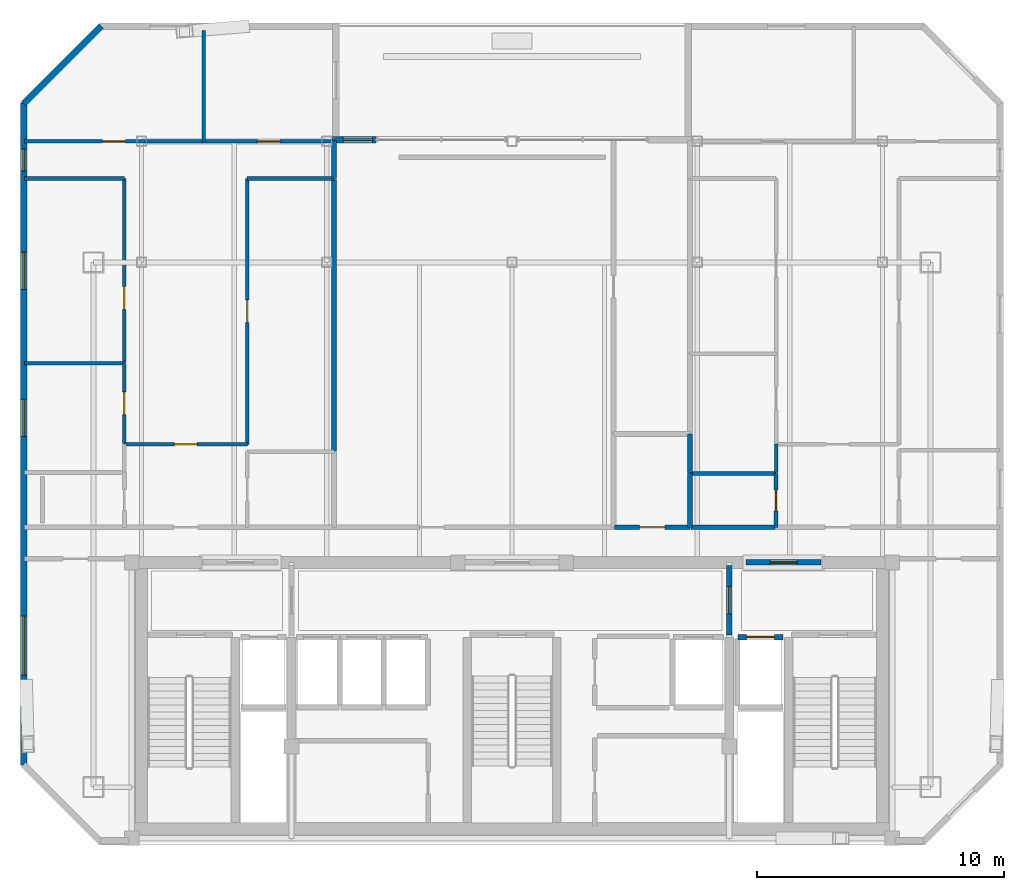
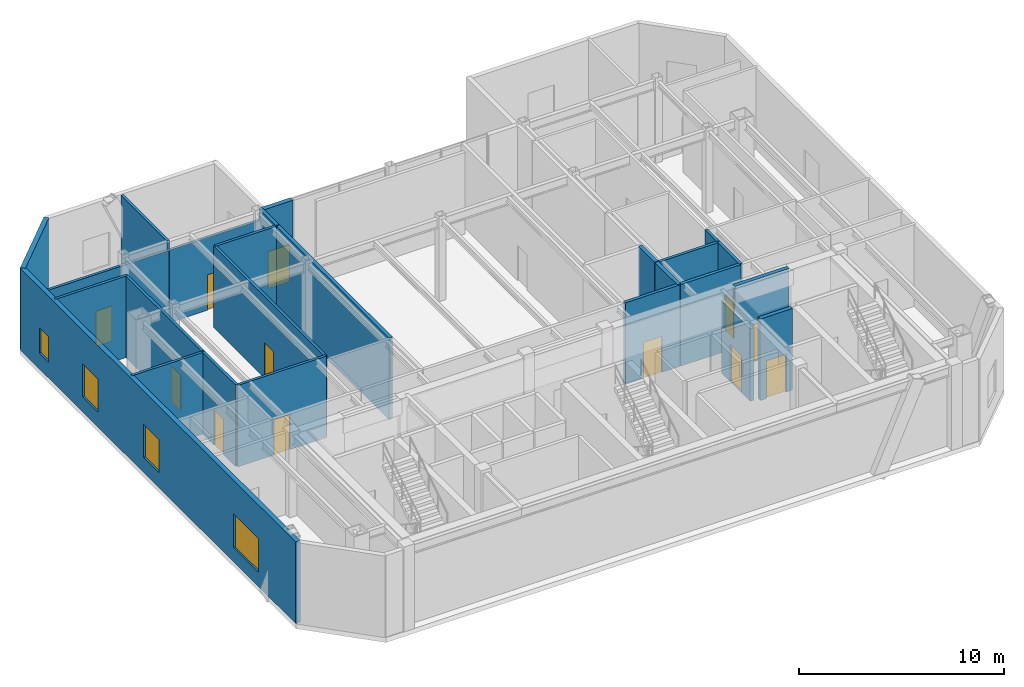
# One storey, part 8 of 11: 25 walls, 12 doors, 4 windows, 16 openings.
"""IFC4 building model written with IfcOpenShell, lengths in metres."""

from ifc_helpers import new_model, si_unit, direction, frame, frame_2d, origin, place, context, subcontext, project, spatial, rectangle, extrude, material, layer, layer_set, type_object, element, fill, save


model = new_model("IFC4")

# Units and contexts
model_context = context("Model", 3, precision=1e-05, world=origin(), true_north=direction((0.0, 1.0)))
body_context = subcontext(model_context, "Body", "Model", "MODEL_VIEW")
ifc_project = project(units=[si_unit("LENGTHUNIT", "METRE"), si_unit("AREAUNIT", "SQUARE_METRE"), si_unit("VOLUMEUNIT", "CUBIC_METRE"), si_unit("PLANEANGLEUNIT", "RADIAN"), si_unit("MASSUNIT", "GRAM", prefix="KILO")], contexts=[model_context])

# Site, building, storey
site_placement = place(None, origin())
site = spatial("IfcSite", under=ifc_project, at=site_placement, CompositionType="ELEMENT")
building_placement = place(site_placement, origin())
building = spatial("IfcBuilding", under=site, at=building_placement, Name="Ventersveld Concourse Tower", CompositionType="ELEMENT")
storey_placement = place(building_placement, frame((0.0, 0.0, 308.0)))
storey = spatial("IfcBuildingStorey", under=building, at=storey_placement, Name="L76", CompositionType="ELEMENT", Elevation=308.0)

# Wall, opening, door
ifc_material_1 = material(Name="Fire-rated autoclaved aerated masonry blockwork", Category="masonry")
ifc_layer_1 = layer(ifc_material_1, 0.179931640625)
ifc_layer_set_1 = layer_set([ifc_layer_1], Name="Fire-rated autoclaved aerated masonry blockwork")
wall_type_1 = type_object("IfcWallType", Name="WL-CORR-180", PredefinedType="PARTITIONING", material=ifc_layer_set_1)
wall_1_placement = place(storey_placement, frame((32.89501953125, 12.8798828125, 0.0), z_axis=(0.0, 0.0, 1.0), x_axis=(1.0, 0.0, 0.0)))
wall_1 = element("IfcWall", 1, at=wall_1_placement, inside=storey, type_object=wall_type_1, Name="L76 Interior Partition SP-L76-COR-SP-L76-SGAWC", PredefinedType="PARTITIONING", context=body_context, shape_type="SweptSolid", body=[
    extrude(rectangle(XDim=3.070068359375, YDim=0.179931640625, at=frame_2d((1.53515625, 0.0))), origin(), (0.0, 0.0, 1.0), 4.85009765625),
])
opening_1_placement = place(wall_1_placement, frame((1.010009765625, 0.0, 0.0)))
opening_1 = element("IfcOpeningElement", 2, at=opening_1_placement, cuts=wall_1, Name="Opening ID3", PredefinedType="OPENING", context=body_context, shape_type="SweptSolid", body=[
    extrude(rectangle(XDim=1.050048828125, YDim=2.14990234375, at=frame_2d((0.52490234375, 1.074951171875))), frame((0.0, 0.10009765625, 0.0), z_axis=(0.0, -1.0, 0.0), x_axis=(1.0, 0.0, 0.0)), (0.0, 0.0, 1.0), 0.199951171875),
])
ifc_material_2 = material(Name="Solid-core hardwood veneer timber", Category="wood")
door_type_1 = type_object("IfcDoorType", Name="DR-AWC-105", OperationType="NOTDEFINED", PredefinedType="DOOR", material=ifc_material_2)
door_1_placement = place(opening_1_placement, origin())
door_1 = element("IfcDoor", 3, at=door_1_placement, inside=storey, type_object=door_type_1, Name="L76 Interior Door SP-L76-COR to SP-L76-SGAWC (WD-L76-3493)", OperationType="SINGLE_SWING_LEFT", OverallHeight=2.14990234375, OverallWidth=1.050048828125, PredefinedType="DOOR", context=body_context, shape_type="SweptSolid", body=[
    extrude(rectangle(XDim=1.050048828125, YDim=2.14990234375, at=frame_2d((0.52490234375, 1.074951171875))), frame((0.0, 0.02490234375, 0.0), z_axis=(0.0, -1.0, 0.0), x_axis=(1.0, 0.0, 0.0)), (0.0, 0.0, 1.0), 0.050048828125),
])
fill(opening_1, door_1)

# Walls
wall_2_placement = place(storey_placement, frame((35.9951171875, 12.8798828125, 0.0), z_axis=(0.0, 0.0, 1.0), x_axis=(1.0, 0.0, 0.0)))
element("IfcWall", 4, at=wall_2_placement, inside=storey, type_object=wall_type_1, Name="L76 Interior Partition SP-L76-COR-SP-L76-76CE-BATH", PredefinedType="PARTITIONING", context=body_context, shape_type="SweptSolid", body=[
    extrude(rectangle(XDim=3.413818359375, YDim=0.179931640625, at=frame_2d((1.70703125, 0.0))), origin(), (0.0, 0.0, 1.0), 4.85009765625),
])
ifc_layer_2 = layer(ifc_material_1, 0.199951171875)
ifc_layer_set_2 = layer_set([ifc_layer_2], Name="Fire-rated autoclaved aerated masonry blockwork")
wall_type_2 = type_object("IfcWallType", Name="WL-DEMISE-200", PredefinedType="PARTITIONING", material=ifc_layer_set_2)
wall_3_placement = place(storey_placement, frame((21.5400390625, 26.9951171875, 0.0), z_axis=(0.0, 0.0, 1.0), x_axis=(0.0, 1.0, 0.0)))
element("IfcWall", 5, at=wall_3_placement, inside=storey, type_object=wall_type_2, Name="L76 Interior Partition SP-L76-SGLNG-SP-L76-76CW-LIV", PredefinedType="PARTITIONING", context=body_context, shape_type="SweptSolid", body=[
    extrude(rectangle(XDim=1.548583984375, YDim=0.199951171875, at=frame_2d((0.7744140625, 0.0))), origin(), (0.0, 0.0, 1.0), 4.85009765625),
])
wall_4_placement = place(storey_placement, frame((21.5400390625, 15.96923828125, 0.0), z_axis=(0.0, 0.0, 1.0), x_axis=(0.0, 1.0, 0.0)))
element("IfcWall", 6, at=wall_4_placement, inside=storey, type_object=wall_type_2, Name="L76 Interior Partition SP-L76-SGLNG-SP-L76-76CW-SEMR1", PredefinedType="PARTITIONING", context=body_context, shape_type="SweptSolid", body=[
    extrude(rectangle(XDim=10.995849609375, YDim=0.199951171875, at=frame_2d((5.498046875, 0.0))), origin(), (0.0, 0.0, 1.0), 4.85009765625),
])
wall_5_placement = place(storey_placement, frame((35.9599609375, 12.864990234375, 0.0), z_axis=(0.0, 0.0, 1.0), x_axis=(0.0, 1.0, 0.0)))
element("IfcWall", 7, at=wall_5_placement, inside=storey, type_object=wall_type_2, Name="L76 Interior Partition SP-L76-SGAWC-SP-L76-76CE-BATH", PredefinedType="PARTITIONING", context=body_context, shape_type="SweptSolid", body=[
    extrude(rectangle(XDim=2.1875, YDim=0.199951171875, at=frame_2d((1.09375, 0.0))), origin(), (0.0, 0.0, 1.0), 4.85009765625),
])
wall_6_placement = place(storey_placement, frame((35.9599609375, 15.08251953125, 0.0), z_axis=(0.0, 0.0, 1.0), x_axis=(0.0, 1.0, 0.0)))
element("IfcWall", 8, at=wall_6_placement, inside=storey, type_object=wall_type_2, Name="L76 Interior Partition SP-L76-SGAWC-SP-L76-76CE-MEDL0", PredefinedType="PARTITIONING", context=body_context, shape_type="SweptSolid", body=[
    extrude(rectangle(XDim=1.572509765625, YDim=0.199951171875, at=frame_2d((0.7861328125, 0.0))), origin(), (0.0, 0.0, 1.0), 4.85009765625),
])

# Wall, opening, door
ifc_layer_3 = layer(ifc_material_1, 0.219970703125)
ifc_layer_set_3 = layer_set([ifc_layer_3], Name="Fire-rated autoclaved aerated masonry blockwork")
wall_type_3 = type_object("IfcWallType", Name="WL-HOIST-220", PredefinedType="SOLIDWALL", material=ifc_layer_set_3)
wall_7_placement = place(storey_placement, frame((37.89990234375, 8.429931640625, 0.0), z_axis=(0.0, 0.0, 1.0), x_axis=(1.0, 0.0, 0.0)))
wall_7 = element("IfcWall", 9, at=wall_7_placement, inside=storey, type_object=wall_type_3, Name="L76 Lift Hoistway Front Wall FFL-02", PredefinedType="SOLIDWALL", context=body_context, shape_type="SweptSolid", body=[
    extrude(rectangle(XDim=1.820068359375, YDim=0.219970703125, at=frame_2d((0.91015625, 0.0))), origin(), (0.0, 0.0, 1.0), 4.85009765625),
])
opening_2_placement = place(wall_7_placement, frame((0.35009765625, 0.0, 0.0)))
opening_2 = element("IfcOpeningElement", 10, at=opening_2_placement, cuts=wall_7, Name="Opening LD1", PredefinedType="OPENING", context=body_context, shape_type="SweptSolid", body=[
    extrude(rectangle(XDim=1.1201171875, YDim=2.25, at=frame_2d((0.56005859375, 1.125))), frame((0.0, 0.1201171875, 0.0), z_axis=(0.0, -1.0, 0.0), x_axis=(1.0, 0.0, 0.0)), (0.0, 0.0, 1.0), 0.239990234375),
])
ifc_material_3 = material(Name="Brushed stainless steel 316", Category="steel")
door_type_2 = type_object("IfcDoorType", Name="LD-FF-112", OperationType="SLIDING_TO_LEFT", PredefinedType="DOOR", material=ifc_material_3)
door_2_placement = place(opening_2_placement, origin())
door_2 = element("IfcDoor", 11, at=door_2_placement, inside=storey, type_object=door_type_2, Name="L76 Lift landing door FFL-02 (LD-L76-FFL-02)", OperationType="SLIDING_TO_LEFT", OverallHeight=2.25, OverallWidth=1.1201171875, PredefinedType="DOOR", context=body_context, shape_type="SweptSolid", body=[
    extrude(rectangle(XDim=1.1201171875, YDim=2.25, at=frame_2d((0.56005859375, 1.125))), frame((0.0, 0.02490234375, 0.0), z_axis=(0.0, -1.0, 0.0), x_axis=(1.0, 0.0, 0.0)), (0.0, 0.0, 1.0), 0.050048828125),
])
fill(opening_2, door_2)

wall_8_placement = place(storey_placement, frame((37.550048828125, 8.52001953125, 0.0), z_axis=(0.0, 0.0, 1.0), x_axis=(0.0, 1.0, 0.0)))
wall_8 = element("IfcWall", 12, at=wall_8_placement, inside=storey, type_object=wall_type_3, Name="L76 Firefighting Lobby Smoke-Stop Wall FFLE-SEP", PredefinedType="SOLIDWALL", context=body_context, shape_type="SweptSolid", body=[
    extrude(rectangle(XDim=2.800048828125, YDim=0.219970703125, at=frame_2d((1.39990234375, 0.0))), origin(), (0.0, 0.0, 1.0), 4.305419921875),
])
opening_3_placement = place(wall_8_placement, frame((0.85009765625, 0.0, 0.0)))
opening_3 = element("IfcOpeningElement", 13, at=opening_3_placement, cuts=wall_8, Name="Opening FD2", PredefinedType="OPENING", context=body_context, shape_type="SweptSolid", body=[
    extrude(rectangle(XDim=1.10009765625, YDim=2.199951171875, at=frame_2d((0.550048828125, 1.10009765625))), frame((0.0, 0.1201171875, 0.0), z_axis=(0.0, -1.0, 0.0), x_axis=(1.0, 0.0, 0.0)), (0.0, 0.0, 1.0), 0.239990234375),
])
ifc_material_4 = material(Name="Galvanised painted steel", Category="steel")
door_type_3 = type_object("IfcDoorType", Name="DR-FFL-110", OperationType="NOTDEFINED", PredefinedType="DOOR", material=ifc_material_4)
door_3_placement = place(opening_3_placement, origin())
door_3 = element("IfcDoor", 14, at=door_3_placement, inside=storey, type_object=door_type_3, Name="L76 Firefighting Lobby Door FFLE-SEP (FD-L76-3483)", OperationType="SINGLE_SWING_RIGHT", OverallHeight=2.199951171875, OverallWidth=1.10009765625, PredefinedType="DOOR", context=body_context, shape_type="SweptSolid", body=[
    extrude(rectangle(XDim=1.10009765625, YDim=2.199951171875, at=frame_2d((0.550048828125, 1.10009765625))), frame((0.0, 0.02490234375, 0.0), z_axis=(0.0, -1.0, 0.0), x_axis=(1.0, 0.0, 0.0)), (0.0, 0.0, 1.0), 0.050048828125),
])
fill(opening_3, door_3)

wall_9_placement = place(storey_placement, frame((38.22998046875, 11.449951171875, 0.0), z_axis=(0.0, 0.0, 1.0), x_axis=(1.0, 0.0, 0.0)))
wall_9 = element("IfcWall", 15, at=wall_9_placement, inside=storey, type_object=wall_type_3, Name="L76 Core North Fire Portal FFLE-OUT", PredefinedType="SOLIDWALL", context=body_context, shape_type="SweptSolid", body=[
    extrude(rectangle(XDim=3.0400390625, YDim=0.219970703125, at=frame_2d((1.52001953125, 0.0))), origin(), (0.0, 0.0, 1.0), 4.85009765625),
])
opening_4_placement = place(wall_9_placement, frame((0.969970703125, 0.0, 0.0)))
opening_4 = element("IfcOpeningElement", 16, at=opening_4_placement, cuts=wall_9, Name="Opening FD2", PredefinedType="OPENING", context=body_context, shape_type="SweptSolid", body=[
    extrude(rectangle(XDim=1.10009765625, YDim=2.199951171875, at=frame_2d((0.550048828125, 1.10009765625))), frame((0.0, 0.1201171875, 0.0), z_axis=(0.0, -1.0, 0.0), x_axis=(1.0, 0.0, 0.0)), (0.0, 0.0, 1.0), 0.239990234375),
])
door_4_placement = place(opening_4_placement, origin())
door_4 = element("IfcDoor", 17, at=door_4_placement, inside=storey, type_object=door_type_3, Name="L76 Core Lobby Fire Door FFLE-OUT (FD-L76-3486)", OperationType="SINGLE_SWING_LEFT", OverallHeight=2.199951171875, OverallWidth=1.10009765625, PredefinedType="DOOR", context=body_context, shape_type="SweptSolid", body=[
    extrude(rectangle(XDim=1.10009765625, YDim=2.199951171875, at=frame_2d((0.550048828125, 1.10009765625))), frame((0.0, 0.02490234375, 0.0), z_axis=(0.0, -1.0, 0.0), x_axis=(1.0, 0.0, 0.0)), (0.0, 0.0, 1.0), 0.050048828125),
])
fill(opening_4, door_4)

ifc_material_5 = material(Name="Autoclaved aerated masonry blockwork", Category="masonry")
ifc_layer_4 = layer(ifc_material_5, 0.14990234375)
ifc_layer_set_4 = layer_set([ifc_layer_4], Name="Autoclaved aerated masonry blockwork")
wall_type_4 = type_object("IfcWallType", Name="WL-INT-150", PredefinedType="PARTITIONING", material=ifc_layer_set_4)
wall_10_placement = place(storey_placement, frame((13.046630859375, 16.236083984375, 0.0), z_axis=(0.0, 0.0, 1.0), x_axis=(1.0, 0.0, 0.0)))
wall_10 = element("IfcWall", 18, at=wall_10_placement, inside=storey, type_object=wall_type_4, Name="L76 Interior Partition SP-L76-76CW-FOY-SP-L76-76CW-LIV", PredefinedType="PARTITIONING", context=body_context, shape_type="SweptSolid", body=[
    extrude(rectangle(XDim=4.989990234375, YDim=0.14990234375, at=frame_2d((2.4951171875, 0.0))), origin(), (0.0, 0.0, 1.0), 4.85009765625),
])
opening_5_placement = place(wall_10_placement, frame((2.034912109375, 0.0, 0.0)))
opening_5 = element("IfcOpeningElement", 19, at=opening_5_placement, cuts=wall_10, Name="Opening ID1", PredefinedType="OPENING", context=body_context, shape_type="SweptSolid", body=[
    extrude(rectangle(XDim=0.919921875, YDim=2.10009765625, at=frame_2d((0.4599609375, 1.050048828125))), frame((0.0, 0.0849609375, 0.0), z_axis=(0.0, -1.0, 0.0), x_axis=(1.0, 0.0, 0.0)), (0.0, 0.0, 1.0), 0.169921875),
])
door_type_4 = type_object("IfcDoorType", Name="DR-ROOM-092", OperationType="NOTDEFINED", PredefinedType="DOOR", material=ifc_material_2)
door_5_placement = place(opening_5_placement, origin())
door_5 = element("IfcDoor", 20, at=door_5_placement, inside=storey, type_object=door_type_4, Name="L76 Interior Door SP-L76-76CW-FOY to SP-L76-76CW-LIV (D-L76-3497)", OperationType="SINGLE_SWING_LEFT", OverallHeight=2.10009765625, OverallWidth=0.919921875, PredefinedType="DOOR", context=body_context, shape_type="SweptSolid", body=[
    extrude(rectangle(XDim=0.919921875, YDim=2.10009765625, at=frame_2d((0.4599609375, 1.050048828125))), frame((0.0, 0.02490234375, 0.0), z_axis=(0.0, -1.0, 0.0), x_axis=(1.0, 0.0, 0.0)), (0.0, 0.0, 1.0), 0.050048828125),
])
fill(opening_5, door_5)

wall_11_placement = place(storey_placement, frame((13.051513671875, 16.27099609375, 0.0), z_axis=(0.0, 0.0, 1.0), x_axis=(0.0, 1.0, 0.0)))
wall_11 = element("IfcWall", 21, at=wall_11_placement, inside=storey, type_object=wall_type_4, Name="L76 Interior Partition SP-L76-76CW-LIV-SP-L76-76CW-MEDL0", PredefinedType="PARTITIONING", context=body_context, shape_type="SweptSolid", body=[
    extrude(rectangle(XDim=3.2451171875, YDim=0.14990234375, at=frame_2d((1.62255859375, 0.0))), origin(), (0.0, 0.0, 1.0), 4.85009765625),
])
opening_6_placement = place(wall_11_placement, frame((1.162353515625, 0.0, 0.0)))
opening_6 = element("IfcOpeningElement", 22, at=opening_6_placement, cuts=wall_11, Name="Opening ID1", PredefinedType="OPENING", context=body_context, shape_type="SweptSolid", body=[
    extrude(rectangle(XDim=0.919921875, YDim=2.10009765625, at=frame_2d((0.4599609375, 1.050048828125))), frame((0.0, 0.0849609375, 0.0), z_axis=(0.0, -1.0, 0.0), x_axis=(1.0, 0.0, 0.0)), (0.0, 0.0, 1.0), 0.169921875),
])
door_6_placement = place(opening_6_placement, origin())
door_6 = element("IfcDoor", 23, at=door_6_placement, inside=storey, type_object=door_type_4, Name="L76 Interior Door SP-L76-76CW-LIV to SP-L76-76CW-MEDL0 (D-L76-3500)", OperationType="SINGLE_SWING_RIGHT", OverallHeight=2.10009765625, OverallWidth=0.919921875, PredefinedType="DOOR", context=body_context, shape_type="SweptSolid", body=[
    extrude(rectangle(XDim=0.919921875, YDim=2.10009765625, at=frame_2d((0.4599609375, 1.050048828125))), frame((0.0, 0.02490234375, 0.0), z_axis=(0.0, -1.0, 0.0), x_axis=(1.0, 0.0, 0.0)), (0.0, 0.0, 1.0), 0.050048828125),
])
fill(opening_6, door_6)

wall_12_placement = place(storey_placement, frame((13.051513671875, 19.5458984375, 0.0), z_axis=(0.0, 0.0, 1.0), x_axis=(0.0, 1.0, 0.0)))
wall_12 = element("IfcWall", 24, at=wall_12_placement, inside=storey, type_object=wall_type_4, Name="L76 Interior Partition SP-L76-76CW-LIV-SP-L76-76CW-OFFL2", PredefinedType="PARTITIONING", context=body_context, shape_type="SweptSolid", body=[
    extrude(rectangle(XDim=7.458984375, YDim=0.14990234375, at=frame_2d((3.7294921875, 0.0))), origin(), (0.0, 0.0, 1.0), 4.85009765625),
])
opening_7_placement = place(wall_12_placement, frame((2.150634765625, 0.0, 0.0)))
opening_7 = element("IfcOpeningElement", 25, at=opening_7_placement, cuts=wall_12, Name="Opening ID1", PredefinedType="OPENING", context=body_context, shape_type="SweptSolid", body=[
    extrude(rectangle(XDim=0.919921875, YDim=2.10009765625, at=frame_2d((0.4599609375, 1.050048828125))), frame((0.0, 0.0849609375, 0.0), z_axis=(0.0, -1.0, 0.0), x_axis=(1.0, 0.0, 0.0)), (0.0, 0.0, 1.0), 0.169921875),
])
door_7_placement = place(opening_7_placement, origin())
door_7 = element("IfcDoor", 26, at=door_7_placement, inside=storey, type_object=door_type_4, Name="L76 Interior Door SP-L76-76CW-LIV to SP-L76-76CW-OFFL2 (D-L76-3501)", OperationType="SINGLE_SWING_LEFT", OverallHeight=2.10009765625, OverallWidth=0.919921875, PredefinedType="DOOR", context=body_context, shape_type="SweptSolid", body=[
    extrude(rectangle(XDim=0.919921875, YDim=2.10009765625, at=frame_2d((0.4599609375, 1.050048828125))), frame((0.0, 0.02490234375, 0.0), z_axis=(0.0, -1.0, 0.0), x_axis=(1.0, 0.0, 0.0)), (0.0, 0.0, 1.0), 0.050048828125),
])
fill(opening_7, door_7)

# Wall
wall_13_placement = place(storey_placement, frame((9.000244140625, 27.0, 0.0), z_axis=(0.0, 0.0, 1.0), x_axis=(1.0, 0.0, 0.0)))
element("IfcWall", 27, at=wall_13_placement, inside=storey, type_object=wall_type_4, Name="L76 Interior Partition SP-L76-76CW-LIV-SP-L76-76CW-OFFL2", PredefinedType="PARTITIONING", context=body_context, shape_type="SweptSolid", body=[
    extrude(rectangle(XDim=4.056396484375, YDim=0.14990234375, at=frame_2d((2.0283203125, 0.0))), origin(), (0.0, 0.0, 1.0), 4.85009765625),
])

# Wall, opening, door
wall_14_placement = place(storey_placement, frame((18.031494140625, 16.231201171875, 0.0), z_axis=(0.0, 0.0, 1.0), x_axis=(0.0, 1.0, 0.0)))
wall_14 = element("IfcWall", 28, at=wall_14_placement, inside=storey, type_object=wall_type_4, Name="L76 Interior Partition SP-L76-76CW-LIV-SP-L76-76CW-SEMR1", PredefinedType="PARTITIONING", context=body_context, shape_type="SweptSolid", body=[
    extrude(rectangle(XDim=10.773681640625, YDim=0.14990234375, at=frame_2d((5.38671875, 0.0))), origin(), (0.0, 0.0, 1.0), 4.85009765625),
])
opening_8_placement = place(wall_14_placement, frame((4.927001953125, 0.0, 0.0)))
opening_8 = element("IfcOpeningElement", 29, at=opening_8_placement, cuts=wall_14, Name="Opening ID1", PredefinedType="OPENING", context=body_context, shape_type="SweptSolid", body=[
    extrude(rectangle(XDim=0.919921875, YDim=2.10009765625, at=frame_2d((0.4599609375, 1.050048828125))), frame((0.0, 0.0849609375, 0.0), z_axis=(0.0, -1.0, 0.0), x_axis=(1.0, 0.0, 0.0)), (0.0, 0.0, 1.0), 0.169921875),
])
door_8_placement = place(opening_8_placement, origin())
door_8 = element("IfcDoor", 30, at=door_8_placement, inside=storey, type_object=door_type_4, Name="L76 Interior Door SP-L76-76CW-LIV to SP-L76-76CW-SEMR1 (D-L76-3502)", OperationType="SINGLE_SWING_RIGHT", OverallHeight=2.10009765625, OverallWidth=0.919921875, PredefinedType="DOOR", context=body_context, shape_type="SweptSolid", body=[
    extrude(rectangle(XDim=0.919921875, YDim=2.10009765625, at=frame_2d((0.4599609375, 1.050048828125))), frame((0.0, 0.02490234375, 0.0), z_axis=(0.0, -1.0, 0.0), x_axis=(1.0, 0.0, 0.0)), (0.0, 0.0, 1.0), 0.050048828125),
])
fill(opening_8, door_8)

# Wall
wall_15_placement = place(storey_placement, frame((18.026611328125, 27.0, 0.0), z_axis=(0.0, 0.0, 1.0), x_axis=(1.0, 0.0, 0.0)))
element("IfcWall", 31, at=wall_15_placement, inside=storey, type_object=wall_type_4, Name="L76 Interior Partition SP-L76-76CW-LIV-SP-L76-76CW-SEMR1", PredefinedType="PARTITIONING", context=body_context, shape_type="SweptSolid", body=[
    extrude(rectangle(XDim=3.518310546875, YDim=0.14990234375, at=frame_2d((1.75927734375, 0.0))), origin(), (0.0, 0.0, 1.0), 4.85009765625),
])

# Wall, opening, door
wall_16_placement = place(storey_placement, frame((9.000244140625, 28.5, 0.0), z_axis=(0.0, 0.0, 1.0), x_axis=(1.0, 0.0, 0.0)))
wall_16 = element("IfcWall", 32, at=wall_16_placement, inside=storey, type_object=wall_type_4, Name="L76 Interior Partition SP-L76-76CW-LIV-SP-L76-76CW-BR1", PredefinedType="PARTITIONING", context=body_context, shape_type="SweptSolid", body=[
    extrude(rectangle(XDim=7.27392578125, YDim=0.14990234375, at=frame_2d((3.636962890625, 0.0))), origin(), (0.0, 0.0, 1.0), 4.31689453125),
])
opening_9_placement = place(wall_16_placement, frame((3.177001953125, 0.0, 0.0)))
opening_9 = element("IfcOpeningElement", 33, at=opening_9_placement, cuts=wall_16, Name="Opening ID1", PredefinedType="OPENING", context=body_context, shape_type="SweptSolid", body=[
    extrude(rectangle(XDim=0.919921875, YDim=2.10009765625, at=frame_2d((0.4599609375, 1.050048828125))), frame((0.0, 0.0849609375, 0.0), z_axis=(0.0, -1.0, 0.0), x_axis=(1.0, 0.0, 0.0)), (0.0, 0.0, 1.0), 0.169921875),
])
door_9_placement = place(opening_9_placement, origin())
door_9 = element("IfcDoor", 34, at=door_9_placement, inside=storey, type_object=door_type_4, Name="L76 Interior Door SP-L76-76CW-LIV to SP-L76-76CW-BR1 (D-L76-3503)", OperationType="SINGLE_SWING_LEFT", OverallHeight=2.10009765625, OverallWidth=0.919921875, PredefinedType="DOOR", context=body_context, shape_type="SweptSolid", body=[
    extrude(rectangle(XDim=0.919921875, YDim=2.10009765625, at=frame_2d((0.4599609375, 1.050048828125))), frame((0.0, 0.02490234375, 0.0), z_axis=(0.0, -1.0, 0.0), x_axis=(1.0, 0.0, 0.0)), (0.0, 0.0, 1.0), 0.050048828125),
])
fill(opening_9, door_9)

wall_17_placement = place(storey_placement, frame((16.30419921875, 28.5, 0.0), z_axis=(0.0, 0.0, 1.0), x_axis=(1.0, 0.0, 0.0)))
wall_17 = element("IfcWall", 35, at=wall_17_placement, inside=storey, type_object=wall_type_4, Name="L76 Interior Partition SP-L76-76CW-LIV-SP-L76-76CW-BR2", PredefinedType="PARTITIONING", context=body_context, shape_type="SweptSolid", body=[
    extrude(rectangle(XDim=5.1826171875, YDim=0.14990234375, at=frame_2d((2.59130859375, 0.0))), origin(), (0.0, 0.0, 1.0), 4.31689453125),
])
opening_10_placement = place(wall_17_placement, frame((2.13134765625, 0.0, 0.0)))
opening_10 = element("IfcOpeningElement", 36, at=opening_10_placement, cuts=wall_17, Name="Opening ID1", PredefinedType="OPENING", context=body_context, shape_type="SweptSolid", body=[
    extrude(rectangle(XDim=0.919921875, YDim=2.10009765625, at=frame_2d((0.4599609375, 1.050048828125))), frame((0.0, 0.0849609375, 0.0), z_axis=(0.0, -1.0, 0.0), x_axis=(1.0, 0.0, 0.0)), (0.0, 0.0, 1.0), 0.169921875),
])
door_10_placement = place(opening_10_placement, origin())
door_10 = element("IfcDoor", 37, at=door_10_placement, inside=storey, type_object=door_type_4, Name="L76 Interior Door SP-L76-76CW-LIV to SP-L76-76CW-BR2 (D-L76-3504)", OperationType="SINGLE_SWING_RIGHT", OverallHeight=2.10009765625, OverallWidth=0.919921875, PredefinedType="DOOR", context=body_context, shape_type="SweptSolid", body=[
    extrude(rectangle(XDim=0.919921875, YDim=2.10009765625, at=frame_2d((0.4599609375, 1.050048828125))), frame((0.0, 0.02490234375, 0.0), z_axis=(0.0, -1.0, 0.0), x_axis=(1.0, 0.0, 0.0)), (0.0, 0.0, 1.0), 0.050048828125),
])
fill(opening_10, door_10)

# Walls
wall_18_placement = place(storey_placement, frame((9.000244140625, 19.510986328125, 0.0), z_axis=(0.0, 0.0, 1.0), x_axis=(1.0, 0.0, 0.0)))
element("IfcWall", 38, at=wall_18_placement, inside=storey, type_object=wall_type_4, Name="L76 Interior Partition SP-L76-76CW-MEDL0-SP-L76-76CW-OFFL2", PredefinedType="PARTITIONING", context=body_context, shape_type="SweptSolid", body=[
    extrude(rectangle(XDim=4.056396484375, YDim=0.14990234375, at=frame_2d((2.0283203125, 0.0))), origin(), (0.0, 0.0, 1.0), 4.85009765625),
])
wall_19_placement = place(storey_placement, frame((16.269287109375, 28.4951171875, 0.0), z_axis=(0.0, 0.0, 1.0), x_axis=(0.0, 1.0, 0.0)))
element("IfcWall", 39, at=wall_19_placement, inside=storey, type_object=wall_type_4, Name="L76 Interior Partition SP-L76-76CW-BR1-SP-L76-76CW-BR2", PredefinedType="PARTITIONING", context=body_context, shape_type="SweptSolid", body=[
    extrude(rectangle(XDim=4.501220703125, YDim=0.14990234375, at=frame_2d((2.25048828125, 0.0))), origin(), (0.0, 0.0, 1.0), 4.85009765625),
])
wall_20_placement = place(storey_placement, frame((39.444091796875, 15.08251953125, 0.0), z_axis=(0.0, 0.0, 1.0), x_axis=(0.0, 1.0, 0.0)))
element("IfcWall", 40, at=wall_20_placement, inside=storey, type_object=wall_type_4, Name="L76 Interior Partition SP-L76-76CE-FOY-SP-L76-76CE-MEDL0", PredefinedType="PARTITIONING", context=body_context, shape_type="SweptSolid", body=[
    extrude(rectangle(XDim=1.15869140625, YDim=0.14990234375, at=frame_2d((0.579345703125, 0.0))), origin(), (0.0, 0.0, 1.0), 4.85009765625),
])

# Wall, opening, door
ifc_material_6 = material(Name="Precast concrete C45/55", Category="concrete")
ifc_layer_5 = layer(ifc_material_6, 0.260009765625)
ifc_layer_set_5 = layer_set([ifc_layer_5], Name="Precast concrete C45/55")
wall_type_5 = type_object("IfcWallType", Name="WL-PREC-260", PredefinedType="SOLIDWALL", material=ifc_layer_set_5)
wall_21_placement = place(storey_placement, frame((21.489990234375, 28.56298828125, 0.0), z_axis=(0.0, 0.0, 1.0), x_axis=(1.0, 0.0, 0.0)))
wall_21 = element("IfcWall", 41, at=wall_21_placement, inside=storey, type_object=wall_type_5, Name="L76 Sky Garden West Pier", PredefinedType="SOLIDWALL", context=body_context, shape_type="SweptSolid", body=[
    extrude(rectangle(XDim=1.760009765625, YDim=0.260009765625, at=frame_2d((0.8798828125, 0.0))), origin(), (0.0, 0.0, 1.0), 4.85009765625),
])
opening_11_placement = place(wall_21_placement, frame((0.419921875, 0.0, 0.0)))
opening_11 = element("IfcOpeningElement", 42, at=opening_11_placement, cuts=wall_21, Name="Opening TD1", PredefinedType="OPENING", context=body_context, shape_type="SweptSolid", body=[
    extrude(rectangle(XDim=1.199951171875, YDim=2.199951171875, at=frame_2d((0.60009765625, 1.10009765625))), frame((0.0, 0.14013671875, 0.0), z_axis=(0.0, -1.0, 0.0), x_axis=(1.0, 0.0, 0.0)), (0.0, 0.0, 1.0), 0.280029296875),
])
ifc_material_7 = material(Name="Anodised aluminium EN AW-6063-T6", Category="aluminium")
door_type_5 = type_object("IfcDoorType", Name="DR-TERR-120", OperationType="NOTDEFINED", PredefinedType="DOOR", material=ifc_material_7)
door_11_placement = place(opening_11_placement, origin())
door_11 = element("IfcDoor", 43, at=door_11_placement, inside=storey, type_object=door_type_5, Name="L76 Sky Garden Terrace Door TD-L76-01", OperationType="SINGLE_SWING_LEFT", OverallHeight=2.199951171875, OverallWidth=1.199951171875, PredefinedType="DOOR", context=body_context, shape_type="SweptSolid", body=[
    extrude(rectangle(XDim=1.199951171875, YDim=2.199951171875, at=frame_2d((0.60009765625, 1.10009765625))), frame((0.0, 0.02490234375, 0.0), z_axis=(0.0, -1.0, 0.0), x_axis=(1.0, 0.0, 0.0)), (0.0, 0.0, 1.0), 0.050048828125),
])
fill(opening_11, door_11)

# Wall
wall_22_placement = place(storey_placement, frame((12.114501953125, 33.1728515625, 0.0), z_axis=(0.0, 0.0, 1.0), x_axis=(-0.707134240044, -0.707079321262, 0.0)))
element("IfcWall", 44, at=wall_22_placement, inside=storey, type_object=wall_type_5, Name="L76 Highveld Precast Facade Wall E10", PredefinedType="SOLIDWALL", context=body_context, shape_type="SweptSolid", body=[
    extrude(rectangle(XDim=4.445556640625, YDim=0.260009765625, at=frame_2d((2.22265625, 0.0))), origin(), (0.0, 0.0, 1.0), 4.85009765625),
])

# Wall, openings, windows
wall_23_placement = place(storey_placement, frame((8.980712890625, 30.052978515625, 0.0), z_axis=(0.0, 0.0, 1.0), x_axis=(0.0, -1.0, 0.0)))
wall_23 = element("IfcWall", 45, at=wall_23_placement, inside=storey, type_object=wall_type_5, Name="L76 Highveld Precast Facade Wall E11", PredefinedType="SOLIDWALL", context=body_context, shape_type="SweptSolid", body=[
    extrude(rectangle(XDim=26.81298828125, YDim=0.260009765625, at=frame_2d((13.406494140625, 0.0))), origin(), (0.0, 0.0, 1.0), 4.85009765625),
])
opening_12_placement = place(wall_23_placement, frame((20.762939453125, 0.0, 0.85009765625)))
opening_12 = element("IfcOpeningElement", 46, at=opening_12_placement, cuts=wall_23, Name="Opening W5", PredefinedType="OPENING", context=body_context, shape_type="SweptSolid", body=[
    extrude(rectangle(XDim=2.39990234375, YDim=2.0, at=frame_2d((1.199951171875, 1.0))), frame((0.0, 0.14013671875, 0.0), z_axis=(0.0, -1.0, 0.0), x_axis=(1.0, 0.0, 0.0)), (0.0, 0.0, 1.0), 0.280029296875),
])
opening_13_placement = place(wall_23_placement, frame((1.85302734375, 0.0, 0.949951171875)))
opening_13 = element("IfcOpeningElement", 47, at=opening_13_placement, cuts=wall_23, Name="Opening W4", PredefinedType="OPENING", context=body_context, shape_type="SweptSolid", body=[
    extrude(rectangle(XDim=0.89990234375, YDim=1.5, at=frame_2d((0.449951171875, 0.75))), frame((0.0, 0.14013671875, 0.0), z_axis=(0.0, -1.0, 0.0), x_axis=(1.0, 0.0, 0.0)), (0.0, 0.0, 1.0), 0.280029296875),
])
opening_14_placement = place(wall_23_placement, frame((12.001220703125, 0.0, 0.89990234375)))
opening_14 = element("IfcOpeningElement", 48, at=opening_14_placement, cuts=wall_23, Name="Opening W1", PredefinedType="OPENING", context=body_context, shape_type="SweptSolid", body=[
    extrude(rectangle(XDim=1.5, YDim=1.949951171875, at=frame_2d((0.75, 0.97509765625))), frame((0.0, 0.14013671875, 0.0), z_axis=(0.0, -1.0, 0.0), x_axis=(1.0, 0.0, 0.0)), (0.0, 0.0, 1.0), 0.280029296875),
])
opening_15_placement = place(wall_23_placement, frame((6.047607421875, 0.0, 0.89990234375)))
opening_15 = element("IfcOpeningElement", 49, at=opening_15_placement, cuts=wall_23, Name="Opening W1", PredefinedType="OPENING", context=body_context, shape_type="SweptSolid", body=[
    extrude(rectangle(XDim=1.5, YDim=1.949951171875, at=frame_2d((0.75, 0.97509765625))), frame((0.0, 0.14013671875, 0.0), z_axis=(0.0, -1.0, 0.0), x_axis=(1.0, 0.0, 0.0)), (0.0, 0.0, 1.0), 0.280029296875),
])
ifc_material_8 = material(Name="Tempered acoustic Low-E IGU", Category="glass")
window_type_1 = type_object("IfcWindowType", Name="WIN-090x150", PartitioningType="SINGLE_PANEL", PredefinedType="WINDOW", material=ifc_material_8)
window_1_placement = place(opening_13_placement, origin())
window_1 = element("IfcWindow", 50, at=window_1_placement, inside=storey, type_object=window_type_1, Name="L76 Punched Low-E Window W-1080", OverallHeight=1.5, OverallWidth=0.89990234375, PartitioningType="SINGLE_PANEL", PredefinedType="WINDOW", context=body_context, shape_type="SweptSolid", body=[
    extrude(rectangle(XDim=0.89990234375, YDim=1.5, at=frame_2d((0.449951171875, 0.75))), frame((0.0, 0.030029296875, 0.0), z_axis=(0.0, -1.0, 0.0), x_axis=(1.0, 0.0, 0.0)), (0.0, 0.0, 1.0), 0.06005859375),
])
fill(opening_13, window_1)
window_type_2 = type_object("IfcWindowType", Name="WIN-150x210", PartitioningType="SINGLE_PANEL", PredefinedType="WINDOW", material=ifc_material_8)
window_2_placement = place(opening_14_placement, origin())
window_2 = element("IfcWindow", 51, at=window_2_placement, inside=storey, type_object=window_type_2, Name="L76 Punched Low-E Window W-1081", OverallHeight=1.949951171875, OverallWidth=1.5, PartitioningType="SINGLE_PANEL", PredefinedType="WINDOW", context=body_context, shape_type="SweptSolid", body=[
    extrude(rectangle(XDim=1.5, YDim=1.949951171875, at=frame_2d((0.75, 0.97509765625))), frame((0.0, 0.030029296875, 0.0), z_axis=(0.0, -1.0, 0.0), x_axis=(1.0, 0.0, 0.0)), (0.0, 0.0, 1.0), 0.06005859375),
])
fill(opening_14, window_2)
window_3_placement = place(opening_15_placement, origin())
window_3 = element("IfcWindow", 52, at=window_3_placement, inside=storey, type_object=window_type_2, Name="L76 Punched Low-E Window W-1082", OverallHeight=1.949951171875, OverallWidth=1.5, PartitioningType="SINGLE_PANEL", PredefinedType="WINDOW", context=body_context, shape_type="SweptSolid", body=[
    extrude(rectangle(XDim=1.5, YDim=1.949951171875, at=frame_2d((0.75, 0.97509765625))), frame((0.0, 0.030029296875, 0.0), z_axis=(0.0, -1.0, 0.0), x_axis=(1.0, 0.0, 0.0)), (0.0, 0.0, 1.0), 0.06005859375),
])
fill(opening_15, window_3)
window_type_3 = type_object("IfcWindowType", Name="WIN-240x210", PartitioningType="SINGLE_PANEL", PredefinedType="WINDOW", material=ifc_material_8)
window_4_placement = place(opening_12_placement, origin())
window_4 = element("IfcWindow", 53, at=window_4_placement, inside=storey, type_object=window_type_3, Name="L76 Punched Low-E Window W-1078", OverallHeight=2.0, OverallWidth=2.39990234375, PartitioningType="SINGLE_PANEL", PredefinedType="WINDOW", context=body_context, shape_type="SweptSolid", body=[
    extrude(rectangle(XDim=2.39990234375, YDim=2.0, at=frame_2d((1.199951171875, 1.0))), frame((0.0, 0.030029296875, 0.0), z_axis=(0.0, -1.0, 0.0), x_axis=(1.0, 0.0, 0.0)), (0.0, 0.0, 1.0), 0.06005859375),
])
fill(opening_12, window_4)

# Wall, opening, door
ifc_layer_6 = layer(ifc_material_5, 0.1650390625)
ifc_layer_set_6 = layer_set([ifc_layer_6], Name="Autoclaved aerated masonry blockwork")
wall_type_6 = type_object("IfcWallType", Name="WL-WET-165", PredefinedType="PLUMBINGWALL", material=ifc_layer_set_6)
wall_24_placement = place(storey_placement, frame((39.444091796875, 12.864990234375, 0.0), z_axis=(0.0, 0.0, 1.0), x_axis=(0.0, 1.0, 0.0)))
wall_24 = element("IfcWall", 54, at=wall_24_placement, inside=storey, type_object=wall_type_6, Name="L76 Interior Partition SP-L76-76CE-FOY-SP-L76-76CE-BATH", PredefinedType="PLUMBINGWALL", context=body_context, shape_type="SweptSolid", body=[
    extrude(rectangle(XDim=2.1875, YDim=0.1650390625, at=frame_2d((1.09375, 0.0))), origin(), (0.0, 0.0, 1.0), 4.85009765625),
])
opening_16_placement = place(wall_24_placement, frame((0.668701171875, 0.0, 0.0)))
opening_16 = element("IfcOpeningElement", 55, at=opening_16_placement, cuts=wall_24, Name="Opening ID2", PredefinedType="OPENING", context=body_context, shape_type="SweptSolid", body=[
    extrude(rectangle(XDim=0.85009765625, YDim=2.10009765625, at=frame_2d((0.425048828125, 1.050048828125))), frame((0.0, 0.092529296875, 0.0), z_axis=(0.0, -1.0, 0.0), x_axis=(1.0, 0.0, 0.0)), (0.0, 0.0, 1.0), 0.18505859375),
])
door_type_6 = type_object("IfcDoorType", Name="DR-BATH-085", OperationType="NOTDEFINED", PredefinedType="DOOR", material=ifc_material_2)
door_12_placement = place(opening_16_placement, origin())
door_12 = element("IfcDoor", 56, at=door_12_placement, inside=storey, type_object=door_type_6, Name="L76 Interior Door SP-L76-76CE-FOY to SP-L76-76CE-BATH (D-L76-3506)", OperationType="SINGLE_SWING_RIGHT", OverallHeight=2.10009765625, OverallWidth=0.85009765625, PredefinedType="DOOR", context=body_context, shape_type="SweptSolid", body=[
    extrude(rectangle(XDim=0.85009765625, YDim=2.10009765625, at=frame_2d((0.425048828125, 1.050048828125))), frame((0.0, 0.02490234375, 0.0), z_axis=(0.0, -1.0, 0.0), x_axis=(1.0, 0.0, 0.0)), (0.0, 0.0, 1.0), 0.050048828125),
])
fill(opening_16, door_12)

# Wall
wall_25_placement = place(storey_placement, frame((35.955078125, 15.047607421875, 0.0), z_axis=(0.0, 0.0, 1.0), x_axis=(1.0, 0.0, 0.0)))
element("IfcWall", 57, at=wall_25_placement, inside=storey, type_object=wall_type_6, Name="L76 Interior Partition SP-L76-76CE-BATH-SP-L76-76CE-MEDL0", PredefinedType="PLUMBINGWALL", context=body_context, shape_type="SweptSolid", body=[
    extrude(rectangle(XDim=3.493896484375, YDim=0.1650390625, at=frame_2d((1.7470703125, 0.0))), origin(), (0.0, 0.0, 1.0), 4.85009765625),
])

save(model, "model.ifc")
